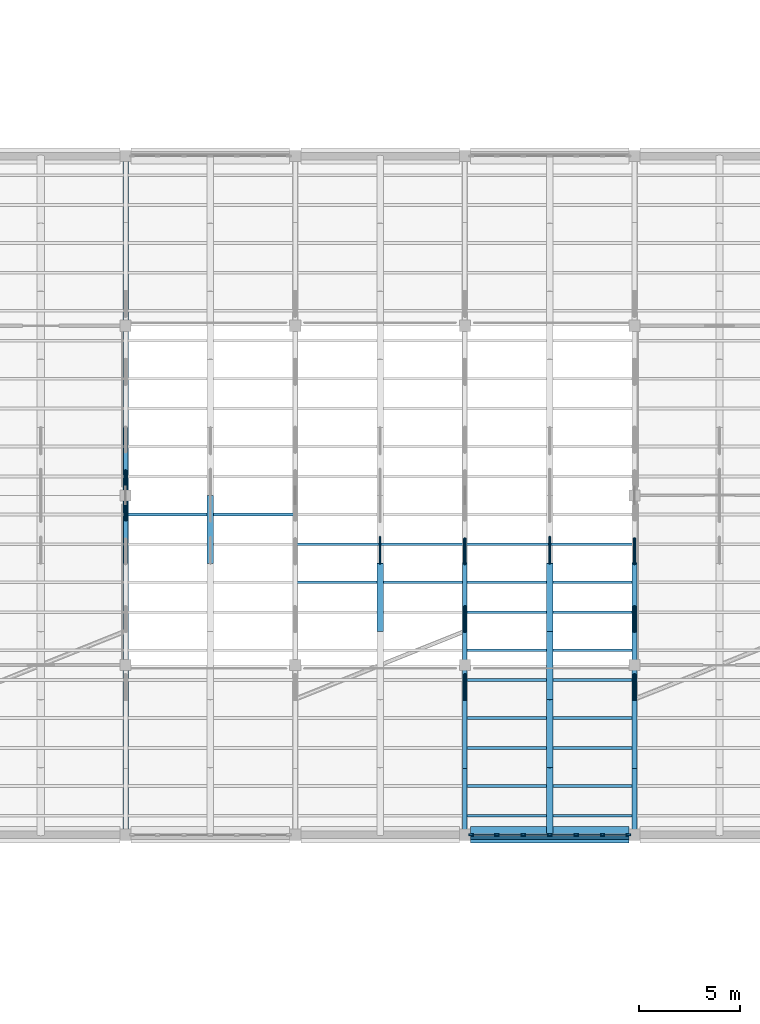
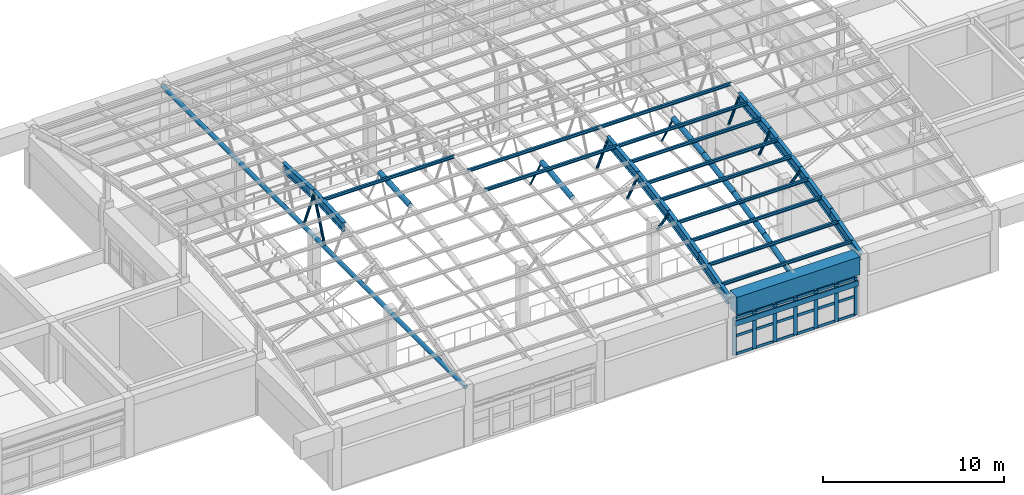
# One storey, part 18 of 74: 55 members, 11 beams, 1 element without a shape of its own.
"""IFC4 building model written with IfcOpenShell, lengths in metres."""

from ifc_helpers import new_model, si_unit, direction, frame, origin, origin_2d, place, context, subcontext, project, spatial, rectangle, hollow_circle, i_section, extrude, material, layer, layer_set, material_profile, profile_set, type_object, element, aggregate, save


model = new_model("IFC4")

# Units and contexts
model_context = context("Model", 3, precision=1e-05, world=origin(), true_north=direction((0.0, 1.0)))
body_context = subcontext(model_context, "Body", "Model", "MODEL_VIEW")
ifc_project = project(units=[si_unit("LENGTHUNIT", "METRE"), si_unit("AREAUNIT", "SQUARE_METRE"), si_unit("VOLUMEUNIT", "CUBIC_METRE"), si_unit("PLANEANGLEUNIT", "RADIAN"), si_unit("MASSUNIT", "GRAM", prefix="KILO")], contexts=[model_context])

# Site, building, storey
site_placement = place(None, origin())
site = spatial("IfcSite", under=ifc_project, at=site_placement, CompositionType="ELEMENT")
building_placement = place(site_placement, origin())
building = spatial("IfcBuilding", under=site, at=building_placement, Name="Porcellanite Civic Hall", CompositionType="ELEMENT")
storey_placement = place(building_placement, frame((0.0, 0.0, 14.760009765625)))
storey = spatial("IfcBuildingStorey", under=building, at=storey_placement, Name="L03", CompositionType="ELEMENT", Elevation=14.760009765625)

# Members
ifc_material_1 = material(Name="Steel C350L0", Category="steel")
ifc_material_profile_1 = material_profile(ifc_material_1, hollow_circle(Radius=0.161865234375, WallThickness=0.010009765625, at=origin_2d()), Name="323.9x10.0CHS")
ifc_profile_set_1 = profile_set([ifc_material_profile_1], Name="Steel C350L0")
member_type_1 = type_object("IfcMemberType", Name="ARCH-324CHS", PredefinedType="RAFTER", material=ifc_profile_set_1)
member_1_placement = place(storey_placement, frame((79.800048828125, 55.43994140625, 6.43603515625), z_axis=(0.0, 0.998442668633, 0.055787430951), x_axis=(-1.0, 0.0, 0.0)))
element("IfcMember", 1, at=member_1_placement, inside=storey, type_object=member_type_1, Name="Chamber secondary arch segment 9 5", PredefinedType="RAFTER", context=body_context, shape_type="SweptSolid", body=[
    extrude(hollow_circle(Radius=0.161865234375, WallThickness=0.010009765625, at=origin_2d()), origin(), (0.0, 0.0, 1.0), 3.365234375),
])
member_2_placement = place(storey_placement, frame((88.199951171875, 52.080078125, 6.054443359375), z_axis=(0.0, 0.993765164221, 0.111493490304), x_axis=(-1.0, 0.0, 0.0)))
element("IfcMember", 2, at=member_2_placement, inside=storey, type_object=member_type_1, Name="Chamber secondary arch segment 10 4", PredefinedType="RAFTER", context=body_context, shape_type="SweptSolid", body=[
    extrude(hollow_circle(Radius=0.161865234375, WallThickness=0.010009765625, at=origin_2d()), origin(), (0.0, 0.0, 1.0), 3.380859375),
])
member_3_placement = place(storey_placement, frame((96.60009765625, 42.0, 3.741455078125), z_axis=(0.0, 0.961252012167, 0.275671124902), x_axis=(-1.0, 0.0, 0.0)))
element("IfcMember", 3, at=member_3_placement, inside=storey, type_object=member_type_1, Name="Chamber secondary arch segment 11 1", PredefinedType="RAFTER", context=body_context, shape_type="SweptSolid", body=[
    extrude(hollow_circle(Radius=0.161865234375, WallThickness=0.010009765625, at=origin_2d()), origin(), (0.0, 0.0, 1.0), 3.49560546875),
])
member_4_placement = place(storey_placement, frame((96.60009765625, 45.360107421875, 4.711669921875), z_axis=(0.0, 0.975143991334, 0.221572101504), x_axis=(-1.0, 0.0, 0.0)))
element("IfcMember", 4, at=member_4_placement, inside=storey, type_object=member_type_1, Name="Chamber secondary arch segment 11 2", PredefinedType="RAFTER", context=body_context, shape_type="SweptSolid", body=[
    extrude(hollow_circle(Radius=0.161865234375, WallThickness=0.010009765625, at=origin_2d()), origin(), (0.0, 0.0, 1.0), 3.445556640625),
])
member_5_placement = place(storey_placement, frame((96.60009765625, 48.719970703125, 5.48095703125), z_axis=(0.0, 0.985994119278, 0.166780084987), x_axis=(-1.0, 0.0, 0.0)))
element("IfcMember", 5, at=member_5_placement, inside=storey, type_object=member_type_1, Name="Chamber secondary arch segment 11 3", PredefinedType="RAFTER", context=body_context, shape_type="SweptSolid", body=[
    extrude(hollow_circle(Radius=0.161865234375, WallThickness=0.010009765625, at=origin_2d()), origin(), (0.0, 0.0, 1.0), 3.407958984375),
])
member_6_placement = place(storey_placement, frame((96.60009765625, 52.080078125, 6.054443359375), z_axis=(0.0, 0.993765164221, 0.111493490304), x_axis=(-1.0, 0.0, 0.0)))
element("IfcMember", 6, at=member_6_placement, inside=storey, type_object=member_type_1, Name="Chamber secondary arch segment 11 4", PredefinedType="RAFTER", context=body_context, shape_type="SweptSolid", body=[
    extrude(hollow_circle(Radius=0.161865234375, WallThickness=0.010009765625, at=origin_2d()), origin(), (0.0, 0.0, 1.0), 3.380859375),
])
ifc_material_2 = material(Name="Steel C350L0", Category="steel")
ifc_material_profile_2 = material_profile(ifc_material_2, hollow_circle(Radius=0.05712890625, WallThickness=0.006103515625, at=origin_2d()), Name="114.3x6.0CHS")
ifc_profile_set_2 = profile_set([ifc_material_profile_2], Name="Steel C350L0")
member_type_2 = type_object("IfcMemberType", Name="BRC-114CHS", PredefinedType="BRACE", material=ifc_profile_set_2)
for number, where, z_axis, x_axis, name in (
    (7, (88.199951171875, 56.739990234375, 4.11474609375), (0.0, -0.488170615149, 0.872748217131), (1.0, 0.0, 0.0), "Chamber secondary arch web 10-1"),
    (8, (96.60009765625, 56.739990234375, 4.11474609375), (0.0, -0.488170615149, 0.872748217131), (1.0, 0.0, 0.0), "Chamber secondary arch web 11-1"),
):
    element("IfcMember", number, at=place(storey_placement, frame(where, z_axis=z_axis, x_axis=x_axis)), inside=storey, type_object=member_type_2, Name=name, PredefinedType="BRACE", context=body_context, shape_type="SweptSolid", body=[
        extrude(hollow_circle(Radius=0.05712890625, WallThickness=0.006103515625, at=origin_2d()), origin(), (0.0, 0.0, 1.0), 2.6630859375),
    ])
ifc_material_3 = material(Name="Steel C350L0", Category="steel")
ifc_material_profile_3 = material_profile(ifc_material_3, hollow_circle(Radius=0.084228515625, WallThickness=0.007080078125, at=origin_2d()), Name="168.3x7.1CHS")
ifc_profile_set_3 = profile_set([ifc_material_profile_3], Name="Steel C350L0")
member_type_3 = type_object("IfcMemberType", Name="BRC-168CHS", PredefinedType="BRACE", material=ifc_profile_set_3)
for number, where, z_axis, x_axis, name in (
    (9, (75.60009765625, 57.60009765625, 3.787841796875), (0.0, 0.386905912351, 0.92211919782), (-1.0, 0.0, 0.0), "Chamber arch web 9-4"),
    (10, (75.60009765625, 60.0, 3.787841796875), (0.0, -0.386905912351, 0.92211919782), (1.0, 0.0, 0.0), "Chamber arch web 9-5"),
):
    element("IfcMember", number, at=place(storey_placement, frame(where, z_axis=z_axis, x_axis=x_axis)), inside=storey, type_object=member_type_3, Name=name, PredefinedType="BRACE", context=body_context, shape_type="SweptSolid", body=[
        extrude(hollow_circle(Radius=0.084228515625, WallThickness=0.007080078125, at=origin_2d()), origin(), (0.0, 0.0, 1.0), 3.101318359375),
    ])
member_7_placement = place(storey_placement, frame((92.39990234375, 49.919921875, 3.787841796875), z_axis=(0.0, -0.570645999694, 0.821196165988), x_axis=(1.0, 0.0, 0.0)))
element("IfcMember", 11, at=member_7_placement, inside=storey, type_object=member_type_3, Name="Chamber arch web 11-1", PredefinedType="BRACE", context=body_context, shape_type="SweptSolid", body=[
    extrude(hollow_circle(Radius=0.084228515625, WallThickness=0.007080078125, at=origin_2d()), origin(), (0.0, 0.0, 1.0), 2.102783203125),
])
member_8_placement = place(storey_placement, frame((92.39990234375, 53.280029296875, 3.787841796875), z_axis=(0.0, -0.463316465702, 0.886192898081), x_axis=(1.0, 0.0, 0.0)))
element("IfcMember", 12, at=member_8_placement, inside=storey, type_object=member_type_3, Name="Chamber arch web 11-2", PredefinedType="BRACE", context=body_context, shape_type="SweptSolid", body=[
    extrude(hollow_circle(Radius=0.084228515625, WallThickness=0.007080078125, at=origin_2d()), origin(), (0.0, 0.0, 1.0), 2.58984375),
])
member_9_placement = place(storey_placement, frame((92.39990234375, 56.639892578125, 3.787841796875), z_axis=(0.0, -0.409654104348, 0.912240930232), x_axis=(1.0, 0.0, 0.0)))
element("IfcMember", 13, at=member_9_placement, inside=storey, type_object=member_type_3, Name="Chamber arch web 11-3", PredefinedType="BRACE", context=body_context, shape_type="SweptSolid", body=[
    extrude(hollow_circle(Radius=0.084228515625, WallThickness=0.007080078125, at=origin_2d()), origin(), (0.0, 0.0, 1.0), 2.92919921875),
])
member_10_placement = place(storey_placement, frame((100.800048828125, 49.919921875, 3.787841796875), z_axis=(0.0, -0.570645999694, 0.821196165988), x_axis=(1.0, 0.0, 0.0)))
element("IfcMember", 14, at=member_10_placement, inside=storey, type_object=member_type_3, Name="Chamber arch web 12-1", PredefinedType="BRACE", context=body_context, shape_type="SweptSolid", body=[
    extrude(hollow_circle(Radius=0.084228515625, WallThickness=0.007080078125, at=origin_2d()), origin(), (0.0, 0.0, 1.0), 2.102783203125),
])
member_11_placement = place(storey_placement, frame((100.800048828125, 53.280029296875, 3.787841796875), z_axis=(0.0, -0.463316465702, 0.886192898081), x_axis=(1.0, 0.0, 0.0)))
element("IfcMember", 15, at=member_11_placement, inside=storey, type_object=member_type_3, Name="Chamber arch web 12-2", PredefinedType="BRACE", context=body_context, shape_type="SweptSolid", body=[
    extrude(hollow_circle(Radius=0.084228515625, WallThickness=0.007080078125, at=origin_2d()), origin(), (0.0, 0.0, 1.0), 2.58984375),
])
member_12_placement = place(storey_placement, frame((100.800048828125, 56.639892578125, 3.787841796875), z_axis=(0.0, -0.409654104348, 0.912240930232), x_axis=(1.0, 0.0, 0.0)))
element("IfcMember", 16, at=member_12_placement, inside=storey, type_object=member_type_3, Name="Chamber arch web 12-3", PredefinedType="BRACE", context=body_context, shape_type="SweptSolid", body=[
    extrude(hollow_circle(Radius=0.084228515625, WallThickness=0.007080078125, at=origin_2d()), origin(), (0.0, 0.0, 1.0), 2.92919921875),
])

# Curtain wall, members
ifc_material_4 = material(Name="Anodised aluminium and solar laminated glass", Category="aluminium")
ifc_layer = layer(ifc_material_4, 0.179931640625)
ifc_layer_set = layer_set([ifc_layer], Name="Anodised aluminium and solar laminated glass")
curtain_wall_type = type_object("IfcCurtainWallType", Name="CW-SYS01", PredefinedType="NOTDEFINED", material=ifc_layer_set)
curtain_wall_placement = place(storey_placement, origin())
curtain_wall = element("IfcCurtainWall", 17, at=curtain_wall_placement, inside=storey, type_object=curtain_wall_type, Name="Curtain wall CW-210", PredefinedType="NOTDEFINED")
ifc_material_5 = material(Name="Anodised aluminium 6063-T6", Category="aluminium")
ifc_material_profile_4 = material_profile(ifc_material_5, rectangle(XDim=0.080078125, YDim=0.239990234375, at=origin_2d()), Name="AL-80x240")
ifc_profile_set_4 = profile_set([ifc_material_profile_4], Name="Anodised aluminium 6063-T6")
member_type_4 = type_object("IfcMemberType", Name="CWM-01", PredefinedType="MULLION", material=ifc_profile_set_4)
member_13_placement = place(storey_placement, frame((100.48388671875, 42.0, 0.0), z_axis=(0.0, 0.0, 1.0), x_axis=(0.0, -1.0, 0.0)))
member_13 = element("IfcMember", 18, at=member_13_placement, type_object=member_type_4, Name="CW-210 mullion 1", PredefinedType="MULLION", context=body_context, shape_type="SweptSolid", body=[
    extrude(rectangle(XDim=0.080078125, YDim=0.239990234375, at=origin_2d()), origin(), (0.0, 0.0, 1.0), 2.52001953125),
])
member_14_placement = place(storey_placement, frame((99.216064453125, 42.0, 0.0), z_axis=(0.0, 0.0, 1.0), x_axis=(0.0, -1.0, 0.0)))
member_14 = element("IfcMember", 19, at=member_14_placement, type_object=member_type_4, Name="CW-210 mullion 2", PredefinedType="MULLION", context=body_context, shape_type="SweptSolid", body=[
    extrude(rectangle(XDim=0.080078125, YDim=0.239990234375, at=origin_2d()), origin(), (0.0, 0.0, 1.0), 2.52001953125),
])
member_15_placement = place(storey_placement, frame((97.907958984375, 42.0, 0.0), z_axis=(0.0, 0.0, 1.0), x_axis=(0.0, -1.0, 0.0)))
member_15 = element("IfcMember", 20, at=member_15_placement, type_object=member_type_4, Name="CW-210 mullion 3", PredefinedType="MULLION", context=body_context, shape_type="SweptSolid", body=[
    extrude(rectangle(XDim=0.080078125, YDim=0.239990234375, at=origin_2d()), origin(), (0.0, 0.0, 1.0), 2.52001953125),
])
member_16_placement = place(storey_placement, frame((96.60009765625, 42.0, 0.0), z_axis=(0.0, 0.0, 1.0), x_axis=(0.0, -1.0, 0.0)))
member_16 = element("IfcMember", 21, at=member_16_placement, type_object=member_type_4, Name="CW-210 mullion 4", PredefinedType="MULLION", context=body_context, shape_type="SweptSolid", body=[
    extrude(rectangle(XDim=0.080078125, YDim=0.239990234375, at=origin_2d()), origin(), (0.0, 0.0, 1.0), 2.52001953125),
])
member_17_placement = place(storey_placement, frame((95.2919921875, 42.0, 0.0), z_axis=(0.0, 0.0, 1.0), x_axis=(0.0, -1.0, 0.0)))
member_17 = element("IfcMember", 22, at=member_17_placement, type_object=member_type_4, Name="CW-210 mullion 5", PredefinedType="MULLION", context=body_context, shape_type="SweptSolid", body=[
    extrude(rectangle(XDim=0.080078125, YDim=0.239990234375, at=origin_2d()), origin(), (0.0, 0.0, 1.0), 2.52001953125),
])
member_18_placement = place(storey_placement, frame((93.98388671875, 42.0, 0.0), z_axis=(0.0, 0.0, 1.0), x_axis=(0.0, -1.0, 0.0)))
member_18 = element("IfcMember", 23, at=member_18_placement, type_object=member_type_4, Name="CW-210 mullion 6", PredefinedType="MULLION", context=body_context, shape_type="SweptSolid", body=[
    extrude(rectangle(XDim=0.080078125, YDim=0.239990234375, at=origin_2d()), origin(), (0.0, 0.0, 1.0), 2.52001953125),
])
member_19_placement = place(storey_placement, frame((92.716064453125, 42.0, 0.0), z_axis=(0.0, 0.0, 1.0), x_axis=(0.0, -1.0, 0.0)))
member_19 = element("IfcMember", 24, at=member_19_placement, type_object=member_type_4, Name="CW-210 mullion 7", PredefinedType="MULLION", context=body_context, shape_type="SweptSolid", body=[
    extrude(rectangle(XDim=0.080078125, YDim=0.239990234375, at=origin_2d()), origin(), (0.0, 0.0, 1.0), 2.52001953125),
])
ifc_material_6 = material(Name="Anodised aluminium 6063-T6", Category="aluminium")
ifc_material_profile_5 = material_profile(ifc_material_6, rectangle(XDim=0.070068359375, YDim=0.175048828125, at=origin_2d()), Name="AL-70x175")
ifc_profile_set_5 = profile_set([ifc_material_profile_5], Name="Anodised aluminium 6063-T6")
member_type_5 = type_object("IfcMemberType", Name="CWT-01", PredefinedType="USERDEFINED", material=ifc_profile_set_5)
member_20_placement = place(storey_placement, frame((100.444091796875, 42.0, 0.034912109375), z_axis=(-1.0, 0.0, 0.0), x_axis=(0.0, -1.0, 0.0)))
member_20 = element("IfcMember", 25, at=member_20_placement, type_object=member_type_5, Name="CW-210 transom 1.1", ObjectType="TRANSOM", PredefinedType="USERDEFINED", context=body_context, shape_type="SweptSolid", body=[
    extrude(rectangle(XDim=0.070068359375, YDim=0.175048828125, at=origin_2d()), origin(), (0.0, 0.0, 1.0), 1.18798828125),
])
member_21_placement = place(storey_placement, frame((100.444091796875, 42.0, 1.260009765625), z_axis=(-1.0, 0.0, 0.0), x_axis=(0.0, -1.0, 0.0)))
member_21 = element("IfcMember", 26, at=member_21_placement, type_object=member_type_5, Name="CW-210 transom 1.2", ObjectType="TRANSOM", PredefinedType="USERDEFINED", context=body_context, shape_type="SweptSolid", body=[
    extrude(rectangle(XDim=0.070068359375, YDim=0.175048828125, at=origin_2d()), origin(), (0.0, 0.0, 1.0), 1.18798828125),
])
member_22_placement = place(storey_placement, frame((100.444091796875, 42.0, 2.485107421875), z_axis=(-1.0, 0.0, 0.0), x_axis=(0.0, -1.0, 0.0)))
member_22 = element("IfcMember", 27, at=member_22_placement, type_object=member_type_5, Name="CW-210 transom 1.3", ObjectType="TRANSOM", PredefinedType="USERDEFINED", context=body_context, shape_type="SweptSolid", body=[
    extrude(rectangle(XDim=0.070068359375, YDim=0.175048828125, at=origin_2d()), origin(), (0.0, 0.0, 1.0), 1.18798828125),
])
member_23_placement = place(storey_placement, frame((99.176025390625, 42.0, 0.034912109375), z_axis=(-1.0, 0.0, 0.0), x_axis=(0.0, -1.0, 0.0)))
member_23 = element("IfcMember", 28, at=member_23_placement, type_object=member_type_5, Name="CW-210 transom 2.1", ObjectType="TRANSOM", PredefinedType="USERDEFINED", context=body_context, shape_type="SweptSolid", body=[
    extrude(rectangle(XDim=0.070068359375, YDim=0.175048828125, at=origin_2d()), origin(), (0.0, 0.0, 1.0), 1.22802734375),
])
member_24_placement = place(storey_placement, frame((99.176025390625, 42.0, 1.260009765625), z_axis=(-1.0, 0.0, 0.0), x_axis=(0.0, -1.0, 0.0)))
member_24 = element("IfcMember", 29, at=member_24_placement, type_object=member_type_5, Name="CW-210 transom 2.2", ObjectType="TRANSOM", PredefinedType="USERDEFINED", context=body_context, shape_type="SweptSolid", body=[
    extrude(rectangle(XDim=0.070068359375, YDim=0.175048828125, at=origin_2d()), origin(), (0.0, 0.0, 1.0), 1.22802734375),
])
member_25_placement = place(storey_placement, frame((99.176025390625, 42.0, 2.485107421875), z_axis=(-1.0, 0.0, 0.0), x_axis=(0.0, -1.0, 0.0)))
member_25 = element("IfcMember", 30, at=member_25_placement, type_object=member_type_5, Name="CW-210 transom 2.3", ObjectType="TRANSOM", PredefinedType="USERDEFINED", context=body_context, shape_type="SweptSolid", body=[
    extrude(rectangle(XDim=0.070068359375, YDim=0.175048828125, at=origin_2d()), origin(), (0.0, 0.0, 1.0), 1.22802734375),
])
member_26_placement = place(storey_placement, frame((97.867919921875, 42.0, 0.034912109375), z_axis=(-1.0, 0.0, 0.0), x_axis=(0.0, -1.0, 0.0)))
member_26 = element("IfcMember", 31, at=member_26_placement, type_object=member_type_5, Name="CW-210 transom 3.1", ObjectType="TRANSOM", PredefinedType="USERDEFINED", context=body_context, shape_type="SweptSolid", body=[
    extrude(rectangle(XDim=0.070068359375, YDim=0.175048828125, at=origin_2d()), origin(), (0.0, 0.0, 1.0), 1.22802734375),
])
member_27_placement = place(storey_placement, frame((97.867919921875, 42.0, 1.260009765625), z_axis=(-1.0, 0.0, 0.0), x_axis=(0.0, -1.0, 0.0)))
member_27 = element("IfcMember", 32, at=member_27_placement, type_object=member_type_5, Name="CW-210 transom 3.2", ObjectType="TRANSOM", PredefinedType="USERDEFINED", context=body_context, shape_type="SweptSolid", body=[
    extrude(rectangle(XDim=0.070068359375, YDim=0.175048828125, at=origin_2d()), origin(), (0.0, 0.0, 1.0), 1.22802734375),
])
member_28_placement = place(storey_placement, frame((97.867919921875, 42.0, 2.485107421875), z_axis=(-1.0, 0.0, 0.0), x_axis=(0.0, -1.0, 0.0)))
member_28 = element("IfcMember", 33, at=member_28_placement, type_object=member_type_5, Name="CW-210 transom 3.3", ObjectType="TRANSOM", PredefinedType="USERDEFINED", context=body_context, shape_type="SweptSolid", body=[
    extrude(rectangle(XDim=0.070068359375, YDim=0.175048828125, at=origin_2d()), origin(), (0.0, 0.0, 1.0), 1.22802734375),
])
member_29_placement = place(storey_placement, frame((96.56005859375, 42.0, 0.034912109375), z_axis=(-1.0, 0.0, 0.0), x_axis=(0.0, -1.0, 0.0)))
member_29 = element("IfcMember", 34, at=member_29_placement, type_object=member_type_5, Name="CW-210 transom 4.1", ObjectType="TRANSOM", PredefinedType="USERDEFINED", context=body_context, shape_type="SweptSolid", body=[
    extrude(rectangle(XDim=0.070068359375, YDim=0.175048828125, at=origin_2d()), origin(), (0.0, 0.0, 1.0), 1.22802734375),
])
member_30_placement = place(storey_placement, frame((96.56005859375, 42.0, 1.260009765625), z_axis=(-1.0, 0.0, 0.0), x_axis=(0.0, -1.0, 0.0)))
member_30 = element("IfcMember", 35, at=member_30_placement, type_object=member_type_5, Name="CW-210 transom 4.2", ObjectType="TRANSOM", PredefinedType="USERDEFINED", context=body_context, shape_type="SweptSolid", body=[
    extrude(rectangle(XDim=0.070068359375, YDim=0.175048828125, at=origin_2d()), origin(), (0.0, 0.0, 1.0), 1.22802734375),
])
member_31_placement = place(storey_placement, frame((96.56005859375, 42.0, 2.485107421875), z_axis=(-1.0, 0.0, 0.0), x_axis=(0.0, -1.0, 0.0)))
member_31 = element("IfcMember", 36, at=member_31_placement, type_object=member_type_5, Name="CW-210 transom 4.3", ObjectType="TRANSOM", PredefinedType="USERDEFINED", context=body_context, shape_type="SweptSolid", body=[
    extrude(rectangle(XDim=0.070068359375, YDim=0.175048828125, at=origin_2d()), origin(), (0.0, 0.0, 1.0), 1.22802734375),
])
member_32_placement = place(storey_placement, frame((95.251953125, 42.0, 0.034912109375), z_axis=(-1.0, 0.0, 0.0), x_axis=(0.0, -1.0, 0.0)))
member_32 = element("IfcMember", 37, at=member_32_placement, type_object=member_type_5, Name="CW-210 transom 5.1", ObjectType="TRANSOM", PredefinedType="USERDEFINED", context=body_context, shape_type="SweptSolid", body=[
    extrude(rectangle(XDim=0.070068359375, YDim=0.175048828125, at=origin_2d()), origin(), (0.0, 0.0, 1.0), 1.22802734375),
])
member_33_placement = place(storey_placement, frame((95.251953125, 42.0, 1.260009765625), z_axis=(-1.0, 0.0, 0.0), x_axis=(0.0, -1.0, 0.0)))
member_33 = element("IfcMember", 38, at=member_33_placement, type_object=member_type_5, Name="CW-210 transom 5.2", ObjectType="TRANSOM", PredefinedType="USERDEFINED", context=body_context, shape_type="SweptSolid", body=[
    extrude(rectangle(XDim=0.070068359375, YDim=0.175048828125, at=origin_2d()), origin(), (0.0, 0.0, 1.0), 1.22802734375),
])
member_34_placement = place(storey_placement, frame((95.251953125, 42.0, 2.485107421875), z_axis=(-1.0, 0.0, 0.0), x_axis=(0.0, -1.0, 0.0)))
member_34 = element("IfcMember", 39, at=member_34_placement, type_object=member_type_5, Name="CW-210 transom 5.3", ObjectType="TRANSOM", PredefinedType="USERDEFINED", context=body_context, shape_type="SweptSolid", body=[
    extrude(rectangle(XDim=0.070068359375, YDim=0.175048828125, at=origin_2d()), origin(), (0.0, 0.0, 1.0), 1.22802734375),
])
member_35_placement = place(storey_placement, frame((93.944091796875, 42.0, 0.034912109375), z_axis=(-1.0, 0.0, 0.0), x_axis=(0.0, -1.0, 0.0)))
member_35 = element("IfcMember", 40, at=member_35_placement, type_object=member_type_5, Name="CW-210 transom 6.1", ObjectType="TRANSOM", PredefinedType="USERDEFINED", context=body_context, shape_type="SweptSolid", body=[
    extrude(rectangle(XDim=0.070068359375, YDim=0.175048828125, at=origin_2d()), origin(), (0.0, 0.0, 1.0), 1.18798828125),
])
member_36_placement = place(storey_placement, frame((93.944091796875, 42.0, 1.260009765625), z_axis=(-1.0, 0.0, 0.0), x_axis=(0.0, -1.0, 0.0)))
member_36 = element("IfcMember", 41, at=member_36_placement, type_object=member_type_5, Name="CW-210 transom 6.2", ObjectType="TRANSOM", PredefinedType="USERDEFINED", context=body_context, shape_type="SweptSolid", body=[
    extrude(rectangle(XDim=0.070068359375, YDim=0.175048828125, at=origin_2d()), origin(), (0.0, 0.0, 1.0), 1.18798828125),
])
member_37_placement = place(storey_placement, frame((93.944091796875, 42.0, 2.485107421875), z_axis=(-1.0, 0.0, 0.0), x_axis=(0.0, -1.0, 0.0)))
member_37 = element("IfcMember", 42, at=member_37_placement, type_object=member_type_5, Name="CW-210 transom 6.3", ObjectType="TRANSOM", PredefinedType="USERDEFINED", context=body_context, shape_type="SweptSolid", body=[
    extrude(rectangle(XDim=0.070068359375, YDim=0.175048828125, at=origin_2d()), origin(), (0.0, 0.0, 1.0), 1.18798828125),
])
aggregate(curtain_wall, [member_13, member_14, member_15, member_16, member_17, member_18, member_19, member_20, member_21, member_22, member_23, member_24, member_25, member_26, member_27, member_28, member_29, member_30, member_31, member_32, member_33, member_34, member_35, member_36, member_37])

# Beam
ifc_material_7 = material(Name="Concrete N50 (50 MPa)", Category="concrete")
ifc_material_profile_6 = material_profile(ifc_material_7, rectangle(XDim=0.800048828125, YDim=1.199951171875, at=origin_2d()), Name="RC-800x1200")
ifc_profile_set_6 = profile_set([ifc_material_profile_6], Name="Concrete N50 (50 MPa)")
beam_type_1 = type_object("IfcBeamType", Name="EB-CH1", PredefinedType="SPANDREL", material=ifc_profile_set_6)
beam_1_placement = place(storey_placement, frame((92.674560546875, 42.0, 3.524658203125), z_axis=(1.0, 0.0, 0.0), x_axis=(0.0, 1.0, 0.0)))
element("IfcBeam", 43, at=beam_1_placement, inside=storey, type_object=beam_type_1, Name="Chamber visible shell edge beam S 11", PredefinedType="SPANDREL", context=body_context, shape_type="SweptSolid", body=[
    extrude(rectangle(XDim=0.800048828125, YDim=1.199951171875, at=origin_2d()), origin(), (0.0, 0.0, 1.0), 7.850830078125),
])

# Members
ifc_material_8 = material(Name="Fluoropolymer bauxite-red aluminium 6063-T6", Category="aluminium")
ifc_material_profile_7 = material_profile(ifc_material_8, rectangle(XDim=0.090087890625, YDim=0.360107421875, at=origin_2d()), Name="AL-90x360")
ifc_profile_set_7 = profile_set([ifc_material_profile_7], Name="Fluoropolymer bauxite-red aluminium 6063-T6")
member_type_6 = type_object("IfcMemberType", Name="LV-BLD01", PredefinedType="USERDEFINED", material=ifc_profile_set_7)
member_38_placement = place(storey_placement, frame((100.525390625, 41.8330078125, 2.219970703125), z_axis=(-1.0, 0.0, 0.0), x_axis=(0.0, -1.0, 0.0)))
element("IfcMember", 44, at=member_38_placement, inside=storey, type_object=member_type_6, Name="Cyclone sunshade louvre L03 S 11-5 1", ObjectType="LOUVRE BLADE", PredefinedType="USERDEFINED", context=body_context, shape_type="SweptSolid", body=[
    extrude(rectangle(XDim=0.090087890625, YDim=0.360107421875, at=origin_2d()), origin(), (0.0, 0.0, 1.0), 7.850830078125),
])
ifc_material_9 = material(Name="Steel Grade 350", Category="steel")
ifc_material_profile_8 = material_profile(ifc_material_9, i_section(OverallWidth=0.133056640625, OverallDepth=0.202880859375, WebThickness=0.005859375, FlangeThickness=0.0078125, FilletRadius=0.0087890625, at=origin_2d()), Name="200UB25.4")
ifc_profile_set_8 = profile_set([ifc_material_profile_8], Name="Steel Grade 350")
member_type_7 = type_object("IfcMemberType", Name="PUR-200UB25", PredefinedType="PURLIN", material=ifc_profile_set_8)
for number, where, z_axis, x_axis, name in (
    (45, (75.6064453125, 57.859130859375, 6.833740234375), (1.0, 0.0, 0.0), (0.0, 1.0, 0.0), "Chamber shell purlin 9 5B"),
    (46, (84.006591796875, 54.499267578125, 6.58837890625), (1.0, 0.0, 0.0), (0.0, 1.0, 0.0), "Chamber shell purlin 10 4B"),
    (47, (84.006591796875, 56.380859375, 6.7509765625), (1.0, 0.0, 0.0), (0.0, 1.0, 0.0), "Chamber shell purlin 10 5A"),
    (48, (92.406494140625, 42.94091796875, 4.273681640625), (1.0, 0.0, 0.0), (0.0, 1.0, 0.0), "Chamber shell purlin 11 1A"),
    (49, (92.406494140625, 44.419189453125, 4.69775390625), (1.0, 0.0, 0.0), (0.0, 1.0, 0.0), "Chamber shell purlin 11 1B"),
    (50, (92.406494140625, 46.30078125, 5.18798828125), (1.0, 0.0, 0.0), (0.0, 1.0, 0.0), "Chamber shell purlin 11 2A"),
    (51, (92.406494140625, 47.779296875, 5.523681640625), (1.0, 0.0, 0.0), (0.0, 1.0, 0.0), "Chamber shell purlin 11 2B"),
    (52, (92.406494140625, 49.660888671875, 5.902587890625), (1.0, 0.0, 0.0), (0.0, 1.0, 0.0), "Chamber shell purlin 11 3A"),
    (53, (92.406494140625, 51.13916015625, 6.152587890625), (1.0, 0.0, 0.0), (0.0, 1.0, 0.0), "Chamber shell purlin 11 3B"),
    (54, (92.406494140625, 53.020751953125, 6.422607421875), (1.0, 0.0, 0.0), (0.0, 1.0, 0.0), "Chamber shell purlin 11 4A"),
    (55, (92.406494140625, 54.499267578125, 6.58837890625), (1.0, 0.0, 0.0), (0.0, 1.0, 0.0), "Chamber shell purlin 11 4B"),
    (56, (92.406494140625, 56.380859375, 6.7509765625), (1.0, 0.0, 0.0), (0.0, 1.0, 0.0), "Chamber shell purlin 11 5A"),
):
    element("IfcMember", number, at=place(storey_placement, frame(where, z_axis=z_axis, x_axis=x_axis)), inside=storey, type_object=member_type_7, Name=name, PredefinedType="PURLIN", context=body_context, shape_type="SweptSolid", body=[
        extrude(i_section(OverallWidth=0.133056640625, OverallDepth=0.202880859375, WebThickness=0.005859375, FlangeThickness=0.0078125, FilletRadius=0.0087890625, at=origin_2d()), origin(), (0.0, 0.0, 1.0), 8.386962890625),
    ])

# Beams
ifc_material_10 = material(Name="Steel Grade 350", Category="steel")
ifc_material_profile_9 = material_profile(ifc_material_10, i_section(OverallWidth=0.22900390625, OverallDepth=0.612060546875, WebThickness=0.011962890625, FlangeThickness=0.01953125, FilletRadius=0.013916015625, at=origin_2d()), Name="610UB125")
ifc_profile_set_9 = profile_set([ifc_material_profile_9], Name="Steel Grade 350")
beam_type_2 = type_object("IfcBeamType", Name="RIB-610UB125", PredefinedType="BEAM", material=ifc_profile_set_9)
beam_2_placement = place(storey_placement, frame((75.60009765625, 55.43994140625, 6.4599609375), z_axis=(0.0, 0.998442668633, 0.055787430951), x_axis=(-1.0, 0.0, 0.0)))
element("IfcBeam", 57, at=beam_2_placement, inside=storey, type_object=beam_type_2, Name="Chamber steel arch rib 9 seg 5", PredefinedType="BEAM", context=body_context, shape_type="SweptSolid", body=[
    extrude(i_section(OverallWidth=0.22900390625, OverallDepth=0.612060546875, WebThickness=0.011962890625, FlangeThickness=0.01953125, FilletRadius=0.013916015625, at=origin_2d()), origin(), (0.0, 0.0, 1.0), 3.365234375),
])
beam_3_placement = place(storey_placement, frame((75.60009765625, 58.800048828125, 6.647705078125), z_axis=(0.0, 0.99844244283, -0.055791472063), x_axis=(-1.0, 0.0, 0.0)))
element("IfcBeam", 58, at=beam_3_placement, inside=storey, type_object=beam_type_2, Name="Chamber steel arch rib 9 seg 6", PredefinedType="BEAM", context=body_context, shape_type="SweptSolid", body=[
    extrude(i_section(OverallWidth=0.22900390625, OverallDepth=0.612060546875, WebThickness=0.011962890625, FlangeThickness=0.01953125, FilletRadius=0.013916015625, at=origin_2d()), origin(), (0.0, 0.0, 1.0), 3.364990234375),
])
beam_4_placement = place(storey_placement, frame((92.39990234375, 42.0, 3.787841796875), z_axis=(0.0, 0.961252012167, 0.275671124902), x_axis=(-1.0, 0.0, 0.0)))
element("IfcBeam", 59, at=beam_4_placement, inside=storey, type_object=beam_type_2, Name="Chamber steel arch rib 11 seg 1", PredefinedType="BEAM", context=body_context, shape_type="SweptSolid", body=[
    extrude(i_section(OverallWidth=0.22900390625, OverallDepth=0.612060546875, WebThickness=0.011962890625, FlangeThickness=0.01953125, FilletRadius=0.013916015625, at=origin_2d()), origin(), (0.0, 0.0, 1.0), 3.49560546875),
])
beam_5_placement = place(storey_placement, frame((92.39990234375, 45.360107421875, 4.75146484375), z_axis=(0.0, 0.9751592991, 0.221504720897), x_axis=(-1.0, 0.0, 0.0)))
element("IfcBeam", 60, at=beam_5_placement, inside=storey, type_object=beam_type_2, Name="Chamber steel arch rib 11 seg 2", PredefinedType="BEAM", context=body_context, shape_type="SweptSolid", body=[
    extrude(i_section(OverallWidth=0.22900390625, OverallDepth=0.612060546875, WebThickness=0.011962890625, FlangeThickness=0.01953125, FilletRadius=0.013916015625, at=origin_2d()), origin(), (0.0, 0.0, 1.0), 3.445556640625),
])
beam_6_placement = place(storey_placement, frame((92.39990234375, 48.719970703125, 5.5146484375), z_axis=(0.0, 0.985994119278, 0.166780084987), x_axis=(-1.0, 0.0, 0.0)))
element("IfcBeam", 61, at=beam_6_placement, inside=storey, type_object=beam_type_2, Name="Chamber steel arch rib 11 seg 3", PredefinedType="BEAM", context=body_context, shape_type="SweptSolid", body=[
    extrude(i_section(OverallWidth=0.22900390625, OverallDepth=0.612060546875, WebThickness=0.011962890625, FlangeThickness=0.01953125, FilletRadius=0.013916015625, at=origin_2d()), origin(), (0.0, 0.0, 1.0), 3.407958984375),
])
beam_7_placement = place(storey_placement, frame((92.39990234375, 52.080078125, 6.0830078125), z_axis=(0.0, 0.993765164221, 0.111493490304), x_axis=(-1.0, 0.0, 0.0)))
element("IfcBeam", 62, at=beam_7_placement, inside=storey, type_object=beam_type_2, Name="Chamber steel arch rib 11 seg 4", PredefinedType="BEAM", context=body_context, shape_type="SweptSolid", body=[
    extrude(i_section(OverallWidth=0.22900390625, OverallDepth=0.612060546875, WebThickness=0.011962890625, FlangeThickness=0.01953125, FilletRadius=0.013916015625, at=origin_2d()), origin(), (0.0, 0.0, 1.0), 3.380859375),
])
beam_8_placement = place(storey_placement, frame((100.800048828125, 42.0, 3.787841796875), z_axis=(0.0, 0.961252012167, 0.275671124902), x_axis=(-1.0, 0.0, 0.0)))
element("IfcBeam", 63, at=beam_8_placement, inside=storey, type_object=beam_type_2, Name="Chamber steel arch rib 12 seg 1", PredefinedType="BEAM", context=body_context, shape_type="SweptSolid", body=[
    extrude(i_section(OverallWidth=0.22900390625, OverallDepth=0.612060546875, WebThickness=0.011962890625, FlangeThickness=0.01953125, FilletRadius=0.013916015625, at=origin_2d()), origin(), (0.0, 0.0, 1.0), 3.49560546875),
])
beam_9_placement = place(storey_placement, frame((100.800048828125, 45.360107421875, 4.75146484375), z_axis=(0.0, 0.9751592991, 0.221504720897), x_axis=(-1.0, 0.0, 0.0)))
element("IfcBeam", 64, at=beam_9_placement, inside=storey, type_object=beam_type_2, Name="Chamber steel arch rib 12 seg 2", PredefinedType="BEAM", context=body_context, shape_type="SweptSolid", body=[
    extrude(i_section(OverallWidth=0.22900390625, OverallDepth=0.612060546875, WebThickness=0.011962890625, FlangeThickness=0.01953125, FilletRadius=0.013916015625, at=origin_2d()), origin(), (0.0, 0.0, 1.0), 3.445556640625),
])
beam_10_placement = place(storey_placement, frame((100.800048828125, 48.719970703125, 5.5146484375), z_axis=(0.0, 0.985994119278, 0.166780084987), x_axis=(-1.0, 0.0, 0.0)))
element("IfcBeam", 65, at=beam_10_placement, inside=storey, type_object=beam_type_2, Name="Chamber steel arch rib 12 seg 3", PredefinedType="BEAM", context=body_context, shape_type="SweptSolid", body=[
    extrude(i_section(OverallWidth=0.22900390625, OverallDepth=0.612060546875, WebThickness=0.011962890625, FlangeThickness=0.01953125, FilletRadius=0.013916015625, at=origin_2d()), origin(), (0.0, 0.0, 1.0), 3.407958984375),
])
beam_11_placement = place(storey_placement, frame((100.800048828125, 52.080078125, 6.0830078125), z_axis=(0.0, 0.993765164221, 0.111493490304), x_axis=(-1.0, 0.0, 0.0)))
element("IfcBeam", 66, at=beam_11_placement, inside=storey, type_object=beam_type_2, Name="Chamber steel arch rib 12 seg 4", PredefinedType="BEAM", context=body_context, shape_type="SweptSolid", body=[
    extrude(i_section(OverallWidth=0.22900390625, OverallDepth=0.612060546875, WebThickness=0.011962890625, FlangeThickness=0.01953125, FilletRadius=0.013916015625, at=origin_2d()), origin(), (0.0, 0.0, 1.0), 3.380859375),
])

# Member
ifc_material_11 = material(Name="Steel C350L0", Category="steel")
ifc_material_profile_10 = material_profile(ifc_material_11, hollow_circle(Radius=0.136474609375, WallThickness=0.00927734375, at=origin_2d()), Name="273.1x9.3CHS")
ifc_profile_set_10 = profile_set([ifc_material_profile_10], Name="Steel C350L0")
member_type_8 = type_object("IfcMemberType", Name="TIE-273CHS", PredefinedType="CHORD", material=ifc_profile_set_10)
member_39_placement = place(storey_placement, frame((75.60009765625, 42.050048828125, 3.787841796875), z_axis=(0.0, 1.0, 0.0), x_axis=(-1.0, 0.0, 0.0)))
element("IfcMember", 67, at=member_39_placement, inside=storey, type_object=member_type_8, Name="Chamber arch tie chord 9", PredefinedType="CHORD", context=body_context, shape_type="SweptSolid", body=[
    extrude(hollow_circle(Radius=0.136474609375, WallThickness=0.00927734375, at=origin_2d()), origin(), (0.0, 0.0, 1.0), 33.5),
])

save(model, "model.ifc")
